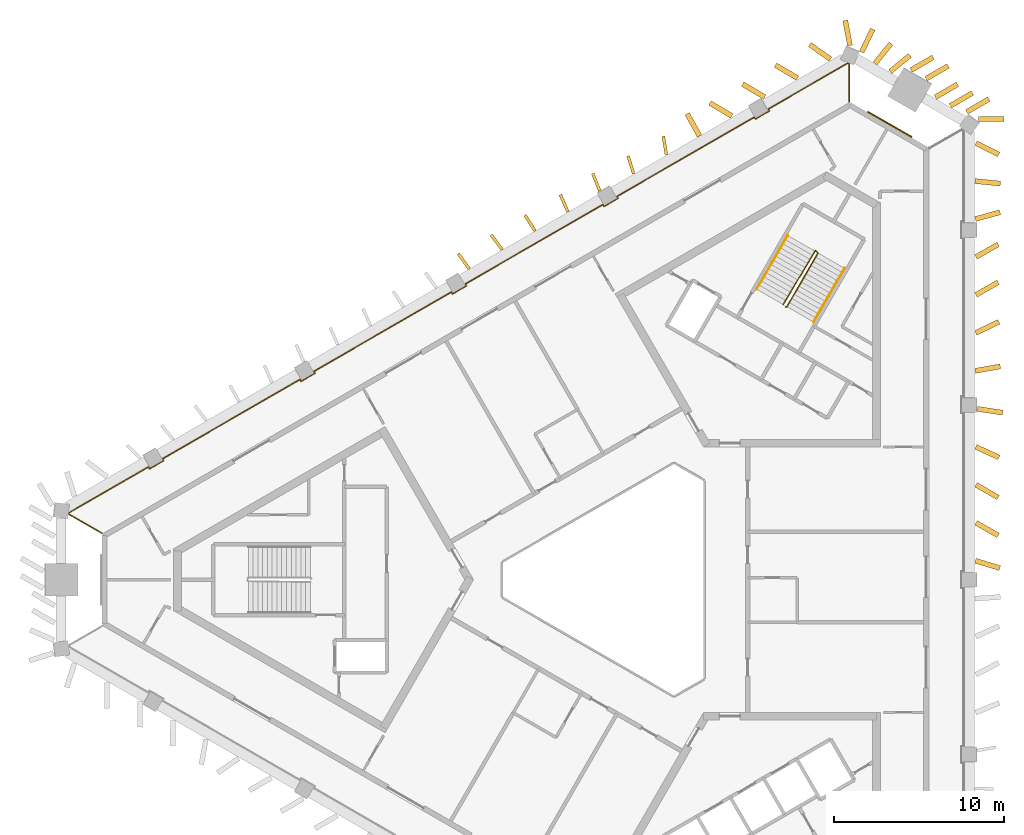
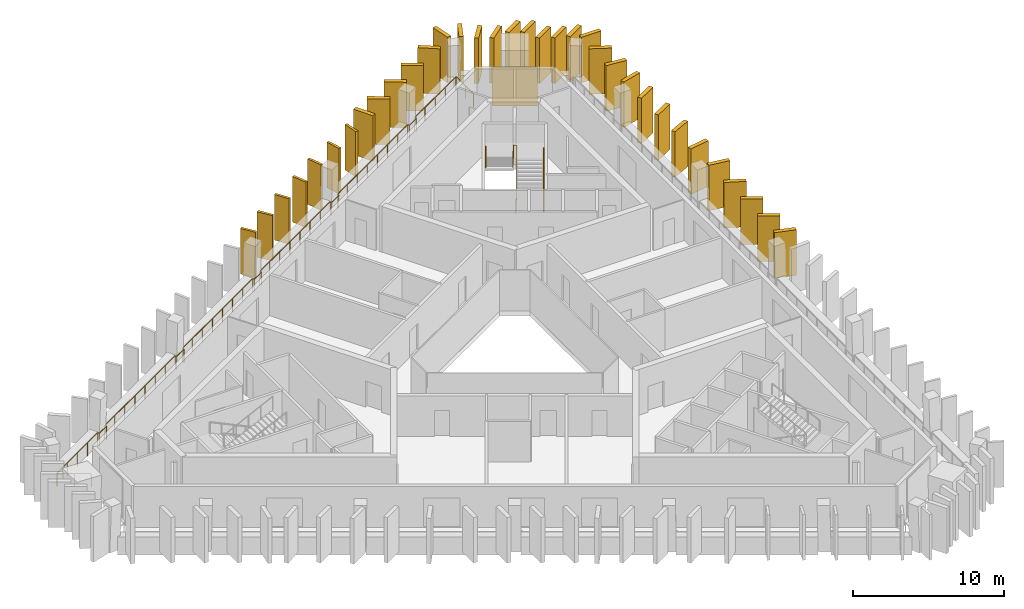
# One storey, part 9 of 9: 34 shading devices, 4 railings, 1 covering.
"""IFC4 building model written with IfcOpenShell, lengths in metres."""

import ifcopenshell
import ifcopenshell.guid

model = None  # the IFC model being written
_history = None  # IfcOwnerHistory: only IFC2X3 demands one
_inside = {}  # id of a spatial element -> (the spatial element, [elements in it])
_under = {}  # id of a project, library or spatial element -> (it, [spatial elements below it])
_declared = {}  # id of a project -> (the project, [libraries it declares])
_typed = {}  # id of a type object -> (the type object, [elements of that type])
_made_of = {}  # id of a material, layer set ... -> (it, [elements and type objects made of it])


def new_model(schema):
    """Start an empty IFC model of exactly this schema.

    Asked for "IFC4X3", IfcOpenShell would pick the latest addendum, in which some entities
    have other attributes; the version numbers below select the first issue.
    IFC2X3 requires an IfcOwnerHistory on every rooted entity: one is made here for all.
    """
    global model, _history
    if schema == "IFC4X3":
        model = ifcopenshell.file(schema_version=(4, 3, 0, 0))
    else:
        model = ifcopenshell.file(schema=schema)
    _inside.clear()
    _under.clear()
    _declared.clear()
    _typed.clear()
    _made_of.clear()
    _history = None
    if model.schema == "IFC2X3":
        org = make("IfcOrganization", Name="unknown")
        user = make(
            "IfcPersonAndOrganization",
            ThePerson=make("IfcPerson", FamilyName="unknown"),
            TheOrganization=org,
        )
        app = make(
            "IfcApplication",
            ApplicationDeveloper=org,
            Version="unknown",
            ApplicationFullName="unknown",
            ApplicationIdentifier="unknown",
        )
        _history = make(
            "IfcOwnerHistory",
            OwningUser=user,
            OwningApplication=app,
            ChangeAction="ADDED",
            CreationDate=0,
        )
    return model


def make(cls, **values):
    """One entity of the class cls with the attributes given. An attribute that is None is left unset."""
    return model.create_entity(
        cls, **{name: value for name, value in values.items() if value is not None}
    )


def rooted(cls, **values):
    """An entity with a GlobalId (a new one), such as an element, a storey or a relation."""
    return make(cls, GlobalId=ifcopenshell.guid.new(), OwnerHistory=_history, **values)


def si_unit(unit_type, name, prefix=None):
    """IfcSIUnit, for example si_unit("LENGTHUNIT", "METRE", prefix="MILLI")."""
    return make("IfcSIUnit", UnitType=unit_type, Prefix=prefix, Name=name)


def assignment(units):
    """IfcUnitAssignment: the units of a project."""
    return None if units is None else make("IfcUnitAssignment", Units=units)


def point(xyz):
    """IfcCartesianPoint."""
    return None if xyz is None else make("IfcCartesianPoint", Coordinates=xyz)


def direction(xyz):
    """IfcDirection."""
    return None if xyz is None else make("IfcDirection", DirectionRatios=xyz)


def frame(location, z_axis=None, x_axis=None):
    """IfcAxis2Placement3D, a coordinate frame: its origin and axes. An axis left out is left unset."""
    return make(
        "IfcAxis2Placement3D",
        Location=point(location),
        Axis=direction(z_axis),
        RefDirection=direction(x_axis),
    )


def frame_2d(location, x_axis=None):
    """IfcAxis2Placement2D, a coordinate frame in the plane: its origin and x axis."""
    return make(
        "IfcAxis2Placement2D", Location=point(location), RefDirection=direction(x_axis)
    )


def origin():
    """The frame at (0, 0, 0) with its axes left unset."""
    return frame((0.0, 0.0, 0.0))


def origin_2d():
    """The frame at (0, 0) in the plane with its x axis left unset."""
    return frame_2d((0.0, 0.0))


def place(relative_to, where):
    """IfcLocalPlacement: puts the frame where relative to a parent placement (None: the world)."""
    return make(
        "IfcLocalPlacement", PlacementRelTo=relative_to, RelativePlacement=where
    )


def context(
    kind, dimensions, precision=None, world=None, true_north=None, identifier=None
):
    """IfcGeometricRepresentationContext, for example the 3D "Model" context."""
    return make(
        "IfcGeometricRepresentationContext",
        ContextIdentifier=identifier,
        ContextType=kind,
        CoordinateSpaceDimension=dimensions,
        Precision=precision,
        WorldCoordinateSystem=world,
        TrueNorth=true_north,
    )


def subcontext(parent, identifier, kind, view, scale=None):
    """IfcGeometricRepresentationSubContext, for example "Body" below "Model"."""
    return make(
        "IfcGeometricRepresentationSubContext",
        ContextIdentifier=identifier,
        ContextType=kind,
        ParentContext=parent,
        TargetScale=scale,
        TargetView=view,
    )


def project(units=None, contexts=None):
    """IfcProject with its units and contexts."""
    return rooted(
        "IfcProject",
        Name="project",
        RepresentationContexts=contexts,
        UnitsInContext=assignment(units),
    )


def spatial(cls, under=None, at=None, **own):
    """A site, building, storey or space (cls), placed at a placement, below another one or the project."""
    s = rooted(cls, ObjectPlacement=at, **own)
    if under is not None:
        _under.setdefault(under.id(), (under, []))[1].append(s)
    return s


def profile(cls, at=None, kind="AREA", **sizes):
    """A parametric profile (cls). Its sizes go by their IFC names, for example OverallWidth=200.0."""
    return make(cls, ProfileType=kind, Position=at, **sizes)


def rectangle(**sizes):
    """IfcRectangleProfileDef."""
    return profile("IfcRectangleProfileDef", **sizes)


def circle(**sizes):
    """IfcCircleProfileDef."""
    return profile("IfcCircleProfileDef", **sizes)


def extrude(swept, where, along, depth):
    """IfcExtrudedAreaSolid: the profile swept, set in the frame where, extruded along a direction by depth."""
    return make(
        "IfcExtrudedAreaSolid",
        SweptArea=swept,
        Position=where,
        ExtrudedDirection=direction(along),
        Depth=depth,
    )


def shape(context_of_items, identifier, shape_type, items):
    """IfcShapeRepresentation: the items that make up one representation, for example the "Body"."""
    return make(
        "IfcShapeRepresentation",
        ContextOfItems=context_of_items,
        RepresentationIdentifier=identifier,
        RepresentationType=shape_type,
        Items=items,
    )


def material(Name=None, Category=None):
    """IfcMaterial."""
    return make("IfcMaterial", Name=Name, Category=Category)


def layer(
    of_material, thickness, ventilated=None, Name=None, Category=None, Priority=None
):
    """IfcMaterialLayer: one layer of a wall or slab, of a material (None: an air gap)."""
    return make(
        "IfcMaterialLayer",
        Material=of_material,
        LayerThickness=thickness,
        IsVentilated=ventilated,
        Name=Name,
        Category=Category,
        Priority=Priority,
    )


def layer_set(layers, Name=None):
    """IfcMaterialLayerSet."""
    return make("IfcMaterialLayerSet", MaterialLayers=layers, LayerSetName=Name)


def made_of(thing, what):
    """Note that an element or type object is made of a material, layer set ...; save() writes the relation."""
    if what is not None:
        _made_of.setdefault(what.id(), (what, []))[1].append(thing)
    return thing


def type_object(cls, material=None, **own):
    """A type object (cls), such as IfcWallType, which elements share."""
    return made_of(rooted(cls, **own), material)


def element(
    cls,
    number,
    at=None,
    inside=None,
    cuts=None,
    type_object=None,
    material=None,
    context=None,
    identifier="Body",
    shape_type=None,
    held_by="IfcProductDefinitionShape",
    body=None,
    shapes=None,
    **own,
):
    """One element of the class cls, such as IfcWall. Its Tag is "e" and its number.

    at: its placement. inside: the storey or other place that contains it. cuts: it is an
    opening in that element (IfcRelVoidsElement). A single representation is given by context,
    identifier, shape_type and body (its items); several are given by shapes. held_by: the class
    of the entity that holds the representations. save() writes the other relations.
    """
    e = rooted(cls, Tag="e%d" % number, ObjectPlacement=at, **own)
    if body is not None:
        shapes = [shape(context, identifier, shape_type, body)]
    if shapes is not None:
        e.Representation = make(held_by, Representations=shapes)
    if inside is not None:
        _inside.setdefault(inside.id(), (inside, []))[1].append(e)
    if cuts is not None:
        rooted(
            "IfcRelVoidsElement", RelatingBuildingElement=cuts, RelatedOpeningElement=e
        )
    if type_object is not None:
        _typed.setdefault(type_object.id(), (type_object, []))[1].append(e)
    return made_of(e, material)


def aggregate(whole, parts):
    """IfcRelAggregates: a whole, such as a stair, and the parts it consists of."""
    return rooted("IfcRelAggregates", RelatingObject=whole, RelatedObjects=parts)


def save(model, path):
    """Write the relations noted so far, then the file.

    IfcRelAggregates (storeys below a building ...), IfcRelContainedInSpatialStructure (elements
    in a storey), IfcRelDefinesByType, IfcRelAssociatesMaterial and IfcRelDeclares: one each for
    every whole, place, type object, material and project.
    """
    for whole, parts in _under.values():
        aggregate(whole, parts)
    for where, things in _inside.values():
        rooted(
            "IfcRelContainedInSpatialStructure",
            RelatedElements=things,
            RelatingStructure=where,
        )
    for kind, things in _typed.values():
        rooted("IfcRelDefinesByType", RelatedObjects=things, RelatingType=kind)
    for what, things in _made_of.values():
        rooted("IfcRelAssociatesMaterial", RelatedObjects=things, RelatingMaterial=what)
    for by, libraries in _declared.values():
        rooted("IfcRelDeclares", RelatingContext=by, RelatedDefinitions=libraries)
    model.write(path)


model = new_model("IFC4")

# Units and contexts
model_context = context("Model", 3, precision=1e-05, world=origin(), true_north=direction((0.0, 1.0)))
body_context = subcontext(model_context, "Body", "Model", "MODEL_VIEW")
ifc_project = project(units=[si_unit("LENGTHUNIT", "METRE"), si_unit("AREAUNIT", "SQUARE_METRE"), si_unit("VOLUMEUNIT", "CUBIC_METRE"), si_unit("PLANEANGLEUNIT", "RADIAN"), si_unit("MASSUNIT", "GRAM", prefix="KILO")], contexts=[model_context])

# Site, building, storey
site_placement = place(None, origin())
site = spatial("IfcSite", under=ifc_project, at=site_placement, CompositionType="ELEMENT")
building_placement = place(site_placement, origin())
building = spatial("IfcBuilding", under=site, at=building_placement, Name="Jabali Bay Hotel Tower and Convention Centre", CompositionType="ELEMENT")
storey_placement = place(building_placement, frame((0.0, 0.0, 224.300048828125)))
storey = spatial("IfcBuildingStorey", under=building, at=storey_placement, Name="L55", CompositionType="ELEMENT", Elevation=224.300048828125)

# Railing
ifc_material_1 = material(Name="Glass", Category="glass")
railing_type_1 = type_object("IfcRailingType", Name="Loggia glass guard 1100", PredefinedType="BALUSTRADE", material=ifc_material_1)
railing_1_placement = place(storey_placement, frame((44.173583984375, 82.72998046875, 0.0)))
element("IfcRailing", 1, at=railing_1_placement, inside=storey, type_object=railing_type_1, Name="Loggia glass guard L55", PredefinedType="BALUSTRADE", context=body_context, shape_type="SweptSolid", body=[
    extrude(circle(Radius=0.02490234375, at=origin_2d()), frame((0.0, 0.0, 1.0751953125), z_axis=(-0.866055336752, 0.499948150995, 0.0), x_axis=(-0.495671025257, -0.858646113288, 0.13052619222)), (0.0, 0.0, 1.0), 2.247314453125),
    extrude(circle(Radius=0.02490234375, at=origin_2d()), frame((-1.9462890625, 1.12353515625, 1.0751953125), z_axis=(0.120005554105, 0.99277322032, 0.0), x_axis=(-0.984279907796, 0.118978889953, 0.13052619222)), (0.0, 0.0, 1.0), 0.067138671875),
    extrude(circle(Radius=0.02490234375, at=origin_2d()), frame((-1.938232421875, 1.190185546875, 1.0751953125), z_axis=(0.866021582578, 0.500006618465, 0.0), x_axis=(-0.49572899253, 0.858612647886, 0.13052619222)), (0.0, 0.0, 1.0), 5.404296875),
    extrude(circle(Radius=0.02490234375, at=origin_2d()), frame((2.741943359375, 3.892333984375, 1.0751953125), z_axis=(0.499497219344, -0.8663154898, 0.0), x_axis=(0.858904040691, 0.495223951389, 0.13052619222)), (0.0, 0.0, 1.0), 0.125244140625),
    extrude(circle(Radius=0.02490234375, at=origin_2d()), frame((2.804443359375, 3.783935546875, 1.0751953125), z_axis=(0.865988727248, 0.500063520245, 0.0), x_axis=(-0.495785407507, 0.858580073638, 0.13052619222)), (0.0, 0.0, 1.0), 0.9501953125),
    extrude(circle(Radius=0.02490234375, at=origin_2d()), frame((3.627197265625, 4.259033203125, 1.0751953125), z_axis=(-0.500342721131, 0.865827443207, 0.0), x_axis=(-0.858420169404, -0.496062219791, 0.13052619222)), (0.0, 0.0, 1.0), 0.125),
    extrude(circle(Radius=0.02490234375, at=origin_2d()), frame((3.564697265625, 4.3671875, 1.0751953125), z_axis=(0.866020651002, 0.50000823197, 0.0), x_axis=(-0.495730592231, 0.85861172428, 0.13052619222)), (0.0, 0.0, 1.0), 9.317626953125),
    extrude(circle(Radius=0.02490234375, at=origin_2d()), frame((11.634033203125, 9.026123046875, 1.0751953125), z_axis=(0.500342721131, -0.865827443207, 0.0), x_axis=(0.858420169404, 0.496062219791, 0.13052619222)), (0.0, 0.0, 1.0), 0.125),
    extrude(circle(Radius=0.02490234375, at=origin_2d()), frame((11.696533203125, 8.91796875, 1.0751953125), z_axis=(0.865988727248, 0.500063520245, 0.0), x_axis=(-0.495785407507, 0.858580073638, 0.13052619222)), (0.0, 0.0, 1.0), 0.9501953125),
    extrude(circle(Radius=0.02490234375, at=origin_2d()), frame((12.519287109375, 9.39306640625, 1.0751953125), z_axis=(-0.500342721131, 0.865827443207, 0.0), x_axis=(-0.858420169404, -0.496062219791, 0.13052619222)), (0.0, 0.0, 1.0), 0.125),
    extrude(circle(Radius=0.02490234375, at=origin_2d()), frame((12.456787109375, 9.501220703125, 1.0751953125), z_axis=(0.866027201435, 0.499996886364, 0.0), x_axis=(-0.495719343689, 0.858618218673, 0.13052619222)), (0.0, 0.0, 1.0), 9.31787109375),
    extrude(circle(Radius=0.02490234375, at=origin_2d()), frame((20.5263671875, 14.16015625, 1.0751953125), z_axis=(0.500342721131, -0.865827443207, 0.0), x_axis=(0.858420169404, 0.496062219791, 0.13052619222)), (0.0, 0.0, 1.0), 0.125),
    extrude(circle(Radius=0.02490234375, at=origin_2d()), frame((20.5888671875, 14.052001953125, 1.0751953125), z_axis=(0.866100000774, 0.49987077196, 0.0), x_axis=(-0.495594308211, 0.858690395203, 0.13052619222)), (0.0, 0.0, 1.0), 0.949951171875),
    extrude(circle(Radius=0.02490234375, at=origin_2d()), frame((21.41162109375, 14.52685546875, 1.0751953125), z_axis=(-0.499497219344, 0.8663154898, 0.0), x_axis=(-0.858904040691, -0.495223951389, 0.13052619222)), (0.0, 0.0, 1.0), 0.125244140625),
    extrude(circle(Radius=0.02490234375, at=origin_2d()), frame((21.34912109375, 14.63525390625, 1.0751953125), z_axis=(0.866027201435, 0.499996886364, 0.0), x_axis=(-0.495719343689, 0.858618218673, 0.13052619222)), (0.0, 0.0, 1.0), 9.31787109375),
    extrude(circle(Radius=0.02490234375, at=origin_2d()), frame((29.418701171875, 19.294189453125, 1.0751953125), z_axis=(0.499497219344, -0.8663154898, 0.0), x_axis=(0.858904040691, 0.495223951389, 0.13052619222)), (0.0, 0.0, 1.0), 0.125244140625),
    extrude(circle(Radius=0.02490234375, at=origin_2d()), frame((29.481201171875, 19.185791015625, 1.0751953125), z_axis=(0.865988727248, 0.500063520245, 0.0), x_axis=(-0.495785407507, 0.858580073638, 0.13052619222)), (0.0, 0.0, 1.0), 0.9501953125),
    extrude(circle(Radius=0.02490234375, at=origin_2d()), frame((30.303955078125, 19.660888671875, 1.0751953125), z_axis=(-0.500342721131, 0.865827443207, 0.0), x_axis=(-0.858420169404, -0.496062219791, 0.13052619222)), (0.0, 0.0, 1.0), 0.125),
    extrude(circle(Radius=0.02490234375, at=origin_2d()), frame((30.241455078125, 19.76904296875, 1.0751953125), z_axis=(0.866027201435, 0.499996886364, 0.0), x_axis=(-0.495719343689, 0.858618218673, 0.13052619222)), (0.0, 0.0, 1.0), 9.31787109375),
    extrude(circle(Radius=0.02490234375, at=origin_2d()), frame((38.31103515625, 24.427978515625, 1.0751953125), z_axis=(0.500342721131, -0.865827443207, 0.0), x_axis=(0.858420169404, 0.496062219791, 0.13052619222)), (0.0, 0.0, 1.0), 0.125),
    extrude(circle(Radius=0.02490234375, at=origin_2d()), frame((38.37353515625, 24.31982421875, 1.0751953125), z_axis=(0.865988727248, 0.500063520245, 0.0), x_axis=(-0.495785407507, 0.858580073638, 0.13052619222)), (0.0, 0.0, 1.0), 0.9501953125),
    extrude(circle(Radius=0.02490234375, at=origin_2d()), frame((39.1962890625, 24.794921875, 1.0751953125), z_axis=(-0.500342721131, 0.865827443207, 0.0), x_axis=(-0.858420169404, -0.496062219791, 0.13052619222)), (0.0, 0.0, 1.0), 0.125),
    extrude(circle(Radius=0.02490234375, at=origin_2d()), frame((39.1337890625, 24.903076171875, 1.0751953125), z_axis=(0.866029850603, 0.499992297805, 0.0), x_axis=(-0.495714794385, 0.858620845177, 0.13052619222)), (0.0, 0.0, 1.0), 5.40380859375),
    extrude(circle(Radius=0.02490234375, at=origin_2d()), frame((43.813720703125, 27.60498046875, 1.0751953125), z_axis=(0.921017487124, -0.389521229732, 0.0), x_axis=(0.386188821614, 0.913138054844, 0.13052619222)), (0.0, 0.0, 1.0), 0.067138671875),
    extrude(circle(Radius=0.02490234375, at=origin_2d()), frame((43.87548828125, 27.578857421875, 1.0751953125), z_axis=(0.0, -1.0, 0.0), x_axis=(0.991444861374, 0.0, 0.13052619222)), (0.0, 0.0, 1.0), 2.24755859375),
    extrude(circle(Radius=0.02001953125, at=origin_2d()), origin(), (0.0, 0.0, 1.0), 1.050048828125),
    extrude(circle(Radius=0.02001953125, at=origin_2d()), frame((-0.97314453125, 0.561767578125, 0.0)), (0.0, 0.0, 1.0), 1.050048828125),
    extrude(circle(Radius=0.02001953125, at=origin_2d()), frame((-1.9462890625, 1.12353515625, 0.0)), (0.0, 0.0, 1.0), 1.050048828125),
    extrude(circle(Radius=0.02001953125, at=origin_2d()), frame((-1.938232421875, 1.190185546875, 0.0)), (0.0, 0.0, 1.0), 1.050048828125),
    extrude(circle(Radius=0.02001953125, at=origin_2d()), frame((-0.76806640625, 1.86572265625, 0.0)), (0.0, 0.0, 1.0), 1.050048828125),
    extrude(circle(Radius=0.02001953125, at=origin_2d()), frame((0.40185546875, 2.541259765625, 0.0)), (0.0, 0.0, 1.0), 1.050048828125),
    extrude(circle(Radius=0.02001953125, at=origin_2d()), frame((1.57177734375, 3.216796875, 0.0)), (0.0, 0.0, 1.0), 1.050048828125),
    extrude(circle(Radius=0.02001953125, at=origin_2d()), frame((2.741943359375, 3.892333984375, 0.0)), (0.0, 0.0, 1.0), 1.050048828125),
    extrude(circle(Radius=0.02001953125, at=origin_2d()), frame((2.804443359375, 3.783935546875, 0.0)), (0.0, 0.0, 1.0), 1.050048828125),
    extrude(circle(Radius=0.02001953125, at=origin_2d()), frame((3.627197265625, 4.259033203125, 0.0)), (0.0, 0.0, 1.0), 1.050048828125),
    extrude(circle(Radius=0.02001953125, at=origin_2d()), frame((3.564697265625, 4.3671875, 0.0)), (0.0, 0.0, 1.0), 1.050048828125),
    extrude(circle(Radius=0.02001953125, at=origin_2d()), frame((4.717529296875, 5.03271484375, 0.0)), (0.0, 0.0, 1.0), 1.050048828125),
    extrude(circle(Radius=0.02001953125, at=origin_2d()), frame((5.8701171875, 5.6982421875, 0.0)), (0.0, 0.0, 1.0), 1.050048828125),
    extrude(circle(Radius=0.02001953125, at=origin_2d()), frame((7.02294921875, 6.36376953125, 0.0)), (0.0, 0.0, 1.0), 1.050048828125),
    extrude(circle(Radius=0.02001953125, at=origin_2d()), frame((8.17578125, 7.029541015625, 0.0)), (0.0, 0.0, 1.0), 1.050048828125),
    extrude(circle(Radius=0.02001953125, at=origin_2d()), frame((9.32861328125, 7.695068359375, 0.0)), (0.0, 0.0, 1.0), 1.050048828125),
    extrude(circle(Radius=0.02001953125, at=origin_2d()), frame((10.481201171875, 8.360595703125, 0.0)), (0.0, 0.0, 1.0), 1.050048828125),
    extrude(circle(Radius=0.02001953125, at=origin_2d()), frame((11.634033203125, 9.026123046875, 0.0)), (0.0, 0.0, 1.0), 1.050048828125),
    extrude(circle(Radius=0.02001953125, at=origin_2d()), frame((11.696533203125, 8.91796875, 0.0)), (0.0, 0.0, 1.0), 1.050048828125),
    extrude(circle(Radius=0.02001953125, at=origin_2d()), frame((12.519287109375, 9.39306640625, 0.0)), (0.0, 0.0, 1.0), 1.050048828125),
    extrude(circle(Radius=0.02001953125, at=origin_2d()), frame((12.456787109375, 9.501220703125, 0.0)), (0.0, 0.0, 1.0), 1.050048828125),
    extrude(circle(Radius=0.02001953125, at=origin_2d()), frame((13.609619140625, 10.166748046875, 0.0)), (0.0, 0.0, 1.0), 1.050048828125),
    extrude(circle(Radius=0.02001953125, at=origin_2d()), frame((14.762451171875, 10.832275390625, 0.0)), (0.0, 0.0, 1.0), 1.050048828125),
    extrude(circle(Radius=0.02001953125, at=origin_2d()), frame((15.915283203125, 11.497802734375, 0.0)), (0.0, 0.0, 1.0), 1.050048828125),
    extrude(circle(Radius=0.02001953125, at=origin_2d()), frame((17.06787109375, 12.16357421875, 0.0)), (0.0, 0.0, 1.0), 1.050048828125),
    extrude(circle(Radius=0.02001953125, at=origin_2d()), frame((18.220703125, 12.8291015625, 0.0)), (0.0, 0.0, 1.0), 1.050048828125),
    extrude(circle(Radius=0.02001953125, at=origin_2d()), frame((19.37353515625, 13.49462890625, 0.0)), (0.0, 0.0, 1.0), 1.050048828125),
    extrude(circle(Radius=0.02001953125, at=origin_2d()), frame((20.5263671875, 14.16015625, 0.0)), (0.0, 0.0, 1.0), 1.050048828125),
    extrude(circle(Radius=0.02001953125, at=origin_2d()), frame((20.5888671875, 14.052001953125, 0.0)), (0.0, 0.0, 1.0), 1.050048828125),
    extrude(circle(Radius=0.02001953125, at=origin_2d()), frame((21.41162109375, 14.52685546875, 0.0)), (0.0, 0.0, 1.0), 1.050048828125),
    extrude(circle(Radius=0.02001953125, at=origin_2d()), frame((21.34912109375, 14.63525390625, 0.0)), (0.0, 0.0, 1.0), 1.050048828125),
    extrude(circle(Radius=0.02001953125, at=origin_2d()), frame((22.501953125, 15.30078125, 0.0)), (0.0, 0.0, 1.0), 1.050048828125),
    extrude(circle(Radius=0.02001953125, at=origin_2d()), frame((23.65478515625, 15.96630859375, 0.0)), (0.0, 0.0, 1.0), 1.050048828125),
    extrude(circle(Radius=0.02001953125, at=origin_2d()), frame((24.8076171875, 16.6318359375, 0.0)), (0.0, 0.0, 1.0), 1.050048828125),
    extrude(circle(Radius=0.02001953125, at=origin_2d()), frame((25.960205078125, 17.297607421875, 0.0)), (0.0, 0.0, 1.0), 1.050048828125),
    extrude(circle(Radius=0.02001953125, at=origin_2d()), frame((27.113037109375, 17.963134765625, 0.0)), (0.0, 0.0, 1.0), 1.050048828125),
    extrude(circle(Radius=0.02001953125, at=origin_2d()), frame((28.265869140625, 18.628662109375, 0.0)), (0.0, 0.0, 1.0), 1.050048828125),
    extrude(circle(Radius=0.02001953125, at=origin_2d()), frame((29.418701171875, 19.294189453125, 0.0)), (0.0, 0.0, 1.0), 1.050048828125),
    extrude(circle(Radius=0.02001953125, at=origin_2d()), frame((29.481201171875, 19.185791015625, 0.0)), (0.0, 0.0, 1.0), 1.050048828125),
    extrude(circle(Radius=0.02001953125, at=origin_2d()), frame((30.303955078125, 19.660888671875, 0.0)), (0.0, 0.0, 1.0), 1.050048828125),
    extrude(circle(Radius=0.02001953125, at=origin_2d()), frame((30.241455078125, 19.76904296875, 0.0)), (0.0, 0.0, 1.0), 1.050048828125),
    extrude(circle(Radius=0.02001953125, at=origin_2d()), frame((31.394287109375, 20.4345703125, 0.0)), (0.0, 0.0, 1.0), 1.050048828125),
    extrude(circle(Radius=0.02001953125, at=origin_2d()), frame((32.547119140625, 21.10009765625, 0.0)), (0.0, 0.0, 1.0), 1.050048828125),
    extrude(circle(Radius=0.02001953125, at=origin_2d()), frame((33.699951171875, 21.765625, 0.0)), (0.0, 0.0, 1.0), 1.050048828125),
    extrude(circle(Radius=0.02001953125, at=origin_2d()), frame((34.8525390625, 22.431396484375, 0.0)), (0.0, 0.0, 1.0), 1.050048828125),
    extrude(circle(Radius=0.02001953125, at=origin_2d()), frame((36.00537109375, 23.096923828125, 0.0)), (0.0, 0.0, 1.0), 1.050048828125),
    extrude(circle(Radius=0.02001953125, at=origin_2d()), frame((37.158203125, 23.762451171875, 0.0)), (0.0, 0.0, 1.0), 1.050048828125),
    extrude(circle(Radius=0.02001953125, at=origin_2d()), frame((38.31103515625, 24.427978515625, 0.0)), (0.0, 0.0, 1.0), 1.050048828125),
    extrude(circle(Radius=0.02001953125, at=origin_2d()), frame((38.37353515625, 24.31982421875, 0.0)), (0.0, 0.0, 1.0), 1.050048828125),
    extrude(circle(Radius=0.02001953125, at=origin_2d()), frame((39.1962890625, 24.794921875, 0.0)), (0.0, 0.0, 1.0), 1.050048828125),
    extrude(circle(Radius=0.02001953125, at=origin_2d()), frame((39.1337890625, 24.903076171875, 0.0)), (0.0, 0.0, 1.0), 1.050048828125),
    extrude(circle(Radius=0.02001953125, at=origin_2d()), frame((40.3037109375, 25.57861328125, 0.0)), (0.0, 0.0, 1.0), 1.050048828125),
    extrude(circle(Radius=0.02001953125, at=origin_2d()), frame((41.4736328125, 26.25390625, 0.0)), (0.0, 0.0, 1.0), 1.050048828125),
    extrude(circle(Radius=0.02001953125, at=origin_2d()), frame((42.643798828125, 26.929443359375, 0.0)), (0.0, 0.0, 1.0), 1.050048828125),
    extrude(circle(Radius=0.02001953125, at=origin_2d()), frame((43.813720703125, 27.60498046875, 0.0)), (0.0, 0.0, 1.0), 1.050048828125),
    extrude(circle(Radius=0.02001953125, at=origin_2d()), frame((43.87548828125, 27.578857421875, 0.0)), (0.0, 0.0, 1.0), 1.050048828125),
    extrude(circle(Radius=0.02001953125, at=origin_2d()), frame((43.87548828125, 26.455078125, 0.0)), (0.0, 0.0, 1.0), 1.050048828125),
    extrude(circle(Radius=0.02001953125, at=origin_2d()), frame((43.87548828125, 25.331298828125, 0.0)), (0.0, 0.0, 1.0), 1.050048828125),
])

# Shading devices
ifc_material_2 = material(Name="Precast concrete C60", Category="concrete")
ifc_layer_1 = layer(ifc_material_2, 0.179931640625)
ifc_layer_set_1 = layer_set([ifc_layer_1], Name="Precast concrete C60")
shading_device_type_1 = type_object("IfcShadingDeviceType", Name="Precast fin 3680 x 1100", PredefinedType="USERDEFINED", material=ifc_layer_set_1)
shading_device_1_placement = place(storey_placement, frame((77.32080078125, 104.955078125, 0.010009765625), z_axis=(0.0, 0.0, 1.0), x_axis=(-0.163787138202, 0.98649570367, 0.0)))
element("IfcShadingDevice", 2, at=shading_device_1_placement, inside=storey, type_object=shading_device_type_1, Name="Fin L55 037", ObjectType="FIN", PredefinedType="USERDEFINED", context=body_context, shape_type="SweptSolid", body=[
    extrude(rectangle(XDim=1.10009765625, YDim=0.179931640625, at=frame_2d((0.550048828125, 0.0))), origin(), (0.0, 0.0, 1.0), 3.679931640625),
])
shading_device_2_placement = place(storey_placement, frame((75.396484375, 103.830322265625, 0.010009765625), z_axis=(0.0, 0.0, 1.0), x_axis=(-0.298527741352, 0.954400957482, 0.0)))
element("IfcShadingDevice", 3, at=shading_device_2_placement, inside=storey, type_object=shading_device_type_1, Name="Fin L55 038", ObjectType="FIN", PredefinedType="USERDEFINED", context=body_context, shape_type="SweptSolid", body=[
    extrude(rectangle(XDim=1.099853515625, YDim=0.179931640625, at=frame_2d((0.5498046875, 0.0))), origin(), (0.0, 0.0, 1.0), 3.679931640625),
])
for number, where, z_axis, x_axis, name in (
    (4, (73.403564453125, 102.82470703125, 0.010009765625), (0.0, 0.0, 1.0), (-0.370625269858, 0.928782487638, 0.0), "Fin L55 039"),
    (5, (71.541015625, 101.593017578125, 0.010009765625), (0.0, 0.0, 1.0), (-0.400364734425, 0.916355869424, 0.0), "Fin L55 040"),
):
    element("IfcShadingDevice", number, at=place(storey_placement, frame(where, z_axis=z_axis, x_axis=x_axis)), inside=storey, type_object=shading_device_type_1, Name=name, ObjectType="FIN", PredefinedType="USERDEFINED", context=body_context, shape_type="SweptSolid", body=[
        extrude(rectangle(XDim=1.10009765625, YDim=0.179931640625, at=frame_2d((0.550048828125, 0.0))), origin(), (0.0, 0.0, 1.0), 3.679931640625),
    ])
shading_device_3_placement = place(storey_placement, frame((69.61376953125, 100.473388671875, 0.010009765625), z_axis=(0.0, 0.0, 1.0), x_axis=(-0.537162713862, 0.843478641601, 0.0)))
element("IfcShadingDevice", 6, at=shading_device_3_placement, inside=storey, type_object=shading_device_type_1, Name="Fin L55 041", ObjectType="FIN", PredefinedType="USERDEFINED", context=body_context, shape_type="SweptSolid", body=[
    extrude(rectangle(XDim=1.099853515625, YDim=0.179931640625, at=frame_2d((0.5498046875, 0.0))), origin(), (0.0, 0.0, 1.0), 3.679931640625),
])
shading_device_4_placement = place(storey_placement, frame((67.6806640625, 99.36376953125, 0.010009765625), z_axis=(0.0, 0.0, 1.0), x_axis=(-0.589042341197, 0.808102171929, 0.0)))
element("IfcShadingDevice", 7, at=shading_device_4_placement, inside=storey, type_object=shading_device_type_1, Name="Fin L55 042", ObjectType="FIN", PredefinedType="USERDEFINED", context=body_context, shape_type="SweptSolid", body=[
    extrude(rectangle(XDim=1.10009765625, YDim=0.179931640625, at=frame_2d((0.550048828125, 0.0))), origin(), (0.0, 0.0, 1.0), 3.679931640625),
])
shading_device_5_placement = place(storey_placement, frame((65.75048828125, 98.24951171875, 0.010009765625), z_axis=(0.0, 0.0, 1.0), x_axis=(-0.58839602701, 0.808572888117, 0.0)))
element("IfcShadingDevice", 8, at=shading_device_5_placement, inside=storey, type_object=shading_device_type_1, Name="Fin L55 043", ObjectType="FIN", PredefinedType="USERDEFINED", context=body_context, shape_type="SweptSolid", body=[
    extrude(rectangle(XDim=1.099853515625, YDim=0.179931640625, at=frame_2d((0.5498046875, 0.0))), origin(), (0.0, 0.0, 1.0), 3.679931640625),
])
ifc_layer_2 = layer(ifc_material_2, 0.300048828125)
ifc_layer_set_2 = layer_set([ifc_layer_2], Name="Precast concrete C60")
shading_device_type_2 = type_object("IfcShadingDeviceType", Name="Precast fin 3680 x 1500", PredefinedType="USERDEFINED", material=ifc_layer_set_2)
shading_device_6_placement = place(storey_placement, frame((95.462890625, 81.114501953125, 0.010009765625), z_axis=(0.0, 0.0, 1.0), x_axis=(0.957372723532, -0.288855445227, 0.0)))
element("IfcShadingDevice", 9, at=shading_device_6_placement, inside=storey, type_object=shading_device_type_2, Name="Fin L55 012", ObjectType="FIN", PredefinedType="USERDEFINED", context=body_context, shape_type="SweptSolid", body=[
    extrude(rectangle(XDim=1.500244140625, YDim=0.300048828125, at=frame_2d((0.75, 0.0))), origin(), (0.0, 0.0, 1.0), 3.679931640625),
])
for number, where, z_axis, x_axis, name in (
    (10, (95.494384765625, 83.34326171875, 0.010009765625), (0.0, 0.0, 1.0), (0.867229669326, -0.497908325538, 0.0), "Fin L55 013"),
    (11, (95.494384765625, 85.572021484375, 0.010009765625), (0.0, 0.0, 1.0), (0.867159382876, -0.498030726652, 0.0), "Fin L55 014"),
    (12, (95.482177734375, 87.80078125, 0.010009765625), (0.0, 0.0, 1.0), (0.908990319051, -0.416817225978, 0.0), "Fin L55 015"),
    (13, (95.57470703125, 90.02978515625, 0.010009765625), (0.0, 0.0, 1.0), (0.988750541548, -0.149573950236, 0.0), "Fin L55 016"),
    (14, (95.446044921875, 92.258544921875, 0.010009765625), (0.0, 0.0, 1.0), (0.98457310254, 0.174973728754, 0.0), "Fin L55 017"),
    (15, (95.484619140625, 94.4873046875, 0.010009765625), (0.0, 0.0, 1.0), (0.901411269662, 0.432963881781, 0.0), "Fin L55 018"),
    (16, (95.494384765625, 96.71630859375, 0.010009765625), (0.0, 0.0, 1.0), (0.867159382876, 0.498030726652, 0.0), "Fin L55 019"),
):
    element("IfcShadingDevice", number, at=place(storey_placement, frame(where, z_axis=z_axis, x_axis=x_axis)), inside=storey, type_object=shading_device_type_2, Name=name, ObjectType="FIN", PredefinedType="USERDEFINED", context=body_context, shape_type="SweptSolid", body=[
        extrude(rectangle(XDim=1.5, YDim=0.300048828125, at=frame_2d((0.75, 0.0))), origin(), (0.0, 0.0, 1.0), 3.679931640625),
    ])
shading_device_7_placement = place(storey_placement, frame((95.493896484375, 98.945068359375, 0.010009765625), z_axis=(0.0, 0.0, 1.0), x_axis=(0.869432720287, 0.49405135856, 0.0)))
element("IfcShadingDevice", 17, at=shading_device_7_placement, inside=storey, type_object=shading_device_type_2, Name="Fin L55 020", ObjectType="FIN", PredefinedType="USERDEFINED", context=body_context, shape_type="SweptSolid", body=[
    extrude(rectangle(XDim=1.499755859375, YDim=0.300048828125, at=frame_2d((0.75, 0.0))), origin(), (0.0, 0.0, 1.0), 3.679931640625),
])
for number, where, z_axis, x_axis, name in (
    (18, (95.459228515625, 101.173828125, 0.010009765625), (0.0, 0.0, 1.0), (0.964481578336, 0.2641501184, 0.0), "Fin L55 021"),
    (19, (95.434814453125, 103.402587890625, 0.010009765625), (0.0, 0.0, 1.0), (0.994977385079, -0.100099965945, 0.0), "Fin L55 022"),
    (20, (95.48681640625, 105.631591796875, 0.010009765625), (0.0, 0.0, 1.0), (0.894329517682, -0.447408888828, 0.0), "Fin L55 023"),
    (21, (94.9560546875, 107.463623046875, 0.010009765625), (0.0, 0.0, 1.0), (0.864898360543, 0.501947034986, 0.0), "Fin L55 024"),
    (22, (93.990234375, 107.81982421875, 0.010009765625), (0.0, 0.0, 1.0), (0.864898360543, 0.501947034986, 0.0), "Fin L55 025"),
    (23, (93.111572265625, 108.3271484375, 0.010009765625), (0.0, 0.0, 1.0), (0.864969016582, 0.501825268747, 0.0), "Fin L55 026"),
    (24, (92.564453125, 109.408203125, 0.010009765625), (0.0, 0.0, 1.0), (0.864898360543, 0.501947034986, 0.0), "Fin L55 027"),
    (25, (91.685791015625, 109.915283203125, 0.010009765625), (0.0, 0.0, 1.0), (0.864715982825, 0.50226115622, 0.0), "Fin L55 028"),
    (26, (90.46484375, 109.829345703125, 0.010009765625), (0.0, 0.0, 1.0), (0.770391564247, 0.637571045247, 0.0), "Fin L55 029"),
    (27, (89.571533203125, 110.31103515625, 0.010009765625), (0.0, 0.0, 1.0), (0.626103216081, 0.779740189302, 0.0), "Fin L55 030"),
):
    element("IfcShadingDevice", number, at=place(storey_placement, frame(where, z_axis=z_axis, x_axis=x_axis)), inside=storey, type_object=shading_device_type_2, Name=name, ObjectType="FIN", PredefinedType="USERDEFINED", context=body_context, shape_type="SweptSolid", body=[
        extrude(rectangle(XDim=1.5, YDim=0.300048828125, at=frame_2d((0.75, 0.0))), origin(), (0.0, 0.0, 1.0), 3.679931640625),
    ])
shading_device_8_placement = place(storey_placement, frame((88.77978515625, 110.968505859375, 0.010009765625), z_axis=(0.0, 0.0, 1.0), x_axis=(0.436241556022, 0.899829597646, 0.0)))
element("IfcShadingDevice", 28, at=shading_device_8_placement, inside=storey, type_object=shading_device_type_2, Name="Fin L55 031", ObjectType="FIN", PredefinedType="USERDEFINED", context=body_context, shape_type="SweptSolid", body=[
    extrude(rectangle(XDim=1.499755859375, YDim=0.300048828125, at=frame_2d((0.75, 0.0))), origin(), (0.0, 0.0, 1.0), 3.679931640625),
])
for number, where, z_axis, x_axis, name in (
    (29, (86.956298828125, 110.553955078125, 0.010009765625), (0.0, 0.0, 1.0), (-0.816069260658, 0.577954117391, 0.0), "Fin L55 032"),
    (30, (85.020263671875, 109.449951171875, 0.010009765625), (0.0, 0.0, 1.0), (-0.864604210754, 0.502453538893, 0.0), "Fin L55 033"),
    (31, (83.090087890625, 108.335205078125, 0.010009765625), (0.0, 0.0, 1.0), (-0.863394962472, 0.504528630285, 0.0), "Fin L55 034"),
):
    element("IfcShadingDevice", number, at=place(storey_placement, frame(where, z_axis=z_axis, x_axis=x_axis)), inside=storey, type_object=shading_device_type_2, Name=name, ObjectType="FIN", PredefinedType="USERDEFINED", context=body_context, shape_type="SweptSolid", body=[
        extrude(rectangle(XDim=1.5, YDim=0.300048828125, at=frame_2d((0.75, 0.0))), origin(), (0.0, 0.0, 1.0), 3.679931640625),
    ])
shading_device_9_placement = place(storey_placement, frame((81.16064453125, 107.2197265625, 0.010009765625), z_axis=(0.0, 0.0, 1.0), x_axis=(-0.858310345735, 0.513130929105, 0.0)))
element("IfcShadingDevice", 32, at=shading_device_9_placement, inside=storey, type_object=shading_device_type_2, Name="Fin L55 035", ObjectType="FIN", PredefinedType="USERDEFINED", context=body_context, shape_type="SweptSolid", body=[
    extrude(rectangle(XDim=1.500244140625, YDim=0.300048828125, at=frame_2d((0.75, 0.0))), origin(), (0.0, 0.0, 1.0), 3.679931640625),
])
for number, where, z_axis, x_axis, name in (
    (33, (79.265625, 106.044189453125, 0.010009765625), (0.0, 0.0, 1.0), (-0.486292255432, 0.873796224704, 0.0), "Fin L55 036"),
    (34, (95.6396484375, 107.041748046875, 0.010009765625), (0.0, 0.0, 1.0), (0.999997403897, 0.002278639918, 0.0), "Fin L55 097"),
    (35, (88.09912109375, 111.355712890625, 0.010009765625), (0.0, 0.0, 1.0), (-0.186184676621, 0.982514766399, 0.0), "Fin L55 098"),
):
    element("IfcShadingDevice", number, at=place(storey_placement, frame(where, z_axis=z_axis, x_axis=x_axis)), inside=storey, type_object=shading_device_type_2, Name=name, ObjectType="FIN", PredefinedType="USERDEFINED", context=body_context, shape_type="SweptSolid", body=[
        extrude(rectangle(XDim=1.5, YDim=0.300048828125, at=frame_2d((0.75, 0.0))), origin(), (0.0, 0.0, 1.0), 3.679931640625),
    ])

# Covering
ifc_material_3 = material(Name="Precast concrete C40/50", Category="concrete")
ifc_layer_3 = layer(ifc_material_3, 0.080078125)
ifc_layer_set_3 = layer_set([ifc_layer_3], Name="Precast concrete C40/50")
covering_type = type_object("IfcCoveringType", Name="Relief panel 3000 x 3100", PredefinedType="CLADDING", material=ifc_layer_set_3)
covering_placement = place(storey_placement, frame((90.43310546875, 106.73095703125, 0.099853515625), z_axis=(0.0, 0.0, 1.0), x_axis=(0.866025373075, -0.50000005319, 0.0)))
element("IfcCovering", 36, at=covering_placement, inside=storey, type_object=covering_type, Name="Relief panel L55", PredefinedType="CLADDING", context=body_context, shape_type="SweptSolid", body=[
    extrude(rectangle(XDim=3.0, YDim=0.080078125, at=origin_2d()), origin(), (0.0, 0.0, 1.0), 3.10009765625),
])

# Railings
ifc_material_4 = material(Name="Steel Q355B", Category="steel")
railing_type_2 = type_object("IfcRailingType", Name="Stair guard 1100", PredefinedType="GUARDRAIL", material=ifc_material_4)
railing_2_placement = place(storey_placement, frame((84.329833984375, 96.010009765625, 0.0)))
element("IfcRailing", 37, at=railing_2_placement, inside=storey, type_object=railing_type_2, Name="L55 ST2 stair guard 1", PredefinedType="GUARDRAIL", context=body_context, shape_type="SweptSolid", body=[
    extrude(circle(Radius=0.02392578125, at=origin_2d()), frame((0.0, 0.0, 1.076171875), z_axis=(0.456201556387, 0.122196845461, 0.881446578591), x_axis=(-0.258736085224, 0.965948051503, 0.0)), (0.0, 0.0, 1.0), 0.14990234375),
    extrude(circle(Radius=0.02392578125, at=origin_2d()), frame((0.068359375, 0.018310546875, 1.2080078125), z_axis=(0.452190331055, 0.783190014029, 0.426775475427), x_axis=(-0.866018046521, 0.500012742938, 0.0)), (0.0, 0.0, 1.0), 4.02490234375),
    extrude(circle(Radius=0.02392578125, at=origin_2d()), frame((1.888427734375, 3.170654296875, 2.92578125), z_axis=(-0.718850276695, 0.695164929852, 0.0), x_axis=(-0.695164929852, -0.718850276695, 0.0)), (0.0, 0.0, 1.0), 0.2060546875),
    extrude(circle(Radius=0.02392578125, at=origin_2d()), frame((1.740234375, 3.31396484375, 2.92578125), z_axis=(-0.457445338502, -0.768046879266, 0.448160410493), x_axis=(0.859157857954, -0.511710636118, 0.0)), (0.0, 0.0, 1.0), 4.128173828125),
    extrude(circle(Radius=0.02099609375, at=origin_2d()), origin(), (0.0, 0.0, 1.0), 1.052001953125),
    extrude(circle(Radius=0.02099609375, at=origin_2d()), frame((0.068359375, 0.018310546875, 0.132080078125)), (0.0, 0.0, 1.0), 1.052001953125),
    extrude(circle(Radius=0.02099609375, at=origin_2d()), frame((0.5234375, 0.806396484375, 0.5615234375)), (0.0, 0.0, 1.0), 1.052001953125),
    extrude(circle(Radius=0.02099609375, at=origin_2d()), frame((0.978515625, 1.594482421875, 0.990966796875)), (0.0, 0.0, 1.0), 1.052001953125),
    extrude(circle(Radius=0.02099609375, at=origin_2d()), frame((1.433349609375, 2.382568359375, 1.42041015625)), (0.0, 0.0, 1.0), 1.052001953125),
    extrude(circle(Radius=0.02099609375, at=origin_2d()), frame((1.888427734375, 3.170654296875, 1.849853515625)), (0.0, 0.0, 1.0), 1.052001953125),
    extrude(circle(Radius=0.02099609375, at=origin_2d()), frame((1.740234375, 3.31396484375, 1.849853515625)), (0.0, 0.0, 1.0), 1.052001953125),
    extrude(circle(Radius=0.02099609375, at=origin_2d()), frame((1.26806640625, 2.521240234375, 2.3125)), (0.0, 0.0, 1.0), 1.052001953125),
    extrude(circle(Radius=0.02099609375, at=origin_2d()), frame((0.7958984375, 1.728515625, 2.77490234375)), (0.0, 0.0, 1.0), 1.052001953125),
    extrude(circle(Radius=0.02099609375, at=origin_2d()), frame((0.323974609375, 0.93603515625, 3.2373046875)), (0.0, 0.0, 1.0), 1.052001953125),
    extrude(circle(Radius=0.02099609375, at=origin_2d()), frame((-0.148193359375, 0.143310546875, 3.699951171875)), (0.0, 0.0, 1.0), 1.052001953125),
])
railing_type_3 = type_object("IfcRailingType", Name="Stair handrail 900", PredefinedType="HANDRAIL", material=ifc_material_4)
railing_3_placement = place(storey_placement, frame((85.95703125, 95.128173828125, 0.132080078125)))
element("IfcRailing", 38, at=railing_3_placement, inside=storey, type_object=railing_type_3, Name="L55 ST2 stair handrail 1", PredefinedType="HANDRAIL", context=body_context, shape_type="SweptSolid", body=[
    extrude(circle(Radius=0.02392578125, at=origin_2d()), frame((0.0, 0.0, 0.8759765625), z_axis=(0.452190331055, 0.783190014029, 0.426775475427), x_axis=(-0.866018046521, 0.500012742938, 0.0)), (0.0, 0.0, 1.0), 4.02490234375),
    extrude(circle(Radius=0.02099609375, at=origin_2d()), origin(), (0.0, 0.0, 1.0), 0.851806640625),
    extrude(circle(Radius=0.02099609375, at=origin_2d()), frame((0.455078125, 0.7880859375, 0.429443359375)), (0.0, 0.0, 1.0), 0.851806640625),
    extrude(circle(Radius=0.02099609375, at=origin_2d()), frame((0.91015625, 1.576171875, 0.85888671875)), (0.0, 0.0, 1.0), 0.851806640625),
    extrude(circle(Radius=0.02099609375, at=origin_2d()), frame((1.364990234375, 2.3642578125, 1.288330078125)), (0.0, 0.0, 1.0), 0.851806640625),
    extrude(circle(Radius=0.02099609375, at=origin_2d()), frame((1.820068359375, 3.15234375, 1.7177734375)), (0.0, 0.0, 1.0), 0.851806640625),
])
railing_4_placement = place(storey_placement, frame((84.44287109375, 100.20556640625, 1.982177734375)))
element("IfcRailing", 39, at=railing_4_placement, inside=storey, type_object=railing_type_3, Name="L55 ST2 stair handrail 2", PredefinedType="HANDRAIL", context=body_context, shape_type="SweptSolid", body=[
    extrude(circle(Radius=0.02392578125, at=origin_2d()), frame((0.0, 0.0, 0.8759765625), z_axis=(-0.452190331055, -0.783190014029, 0.426775475427), x_axis=(0.866018046521, -0.500012742938, 0.0)), (0.0, 0.0, 1.0), 4.02490234375),
    extrude(circle(Radius=0.02099609375, at=origin_2d()), origin(), (0.0, 0.0, 1.0), 0.851806640625),
    extrude(circle(Radius=0.02099609375, at=origin_2d()), frame((-0.455078125, -0.7880859375, 0.429443359375)), (0.0, 0.0, 1.0), 0.851806640625),
    extrude(circle(Radius=0.02099609375, at=origin_2d()), frame((-0.91015625, -1.576171875, 0.85888671875)), (0.0, 0.0, 1.0), 0.851806640625),
    extrude(circle(Radius=0.02099609375, at=origin_2d()), frame((-1.364990234375, -2.3642578125, 1.288330078125)), (0.0, 0.0, 1.0), 0.851806640625),
    extrude(circle(Radius=0.02099609375, at=origin_2d()), frame((-1.820068359375, -3.15234375, 1.7177734375)), (0.0, 0.0, 1.0), 0.851806640625),
])

save(model, "model.ifc")
